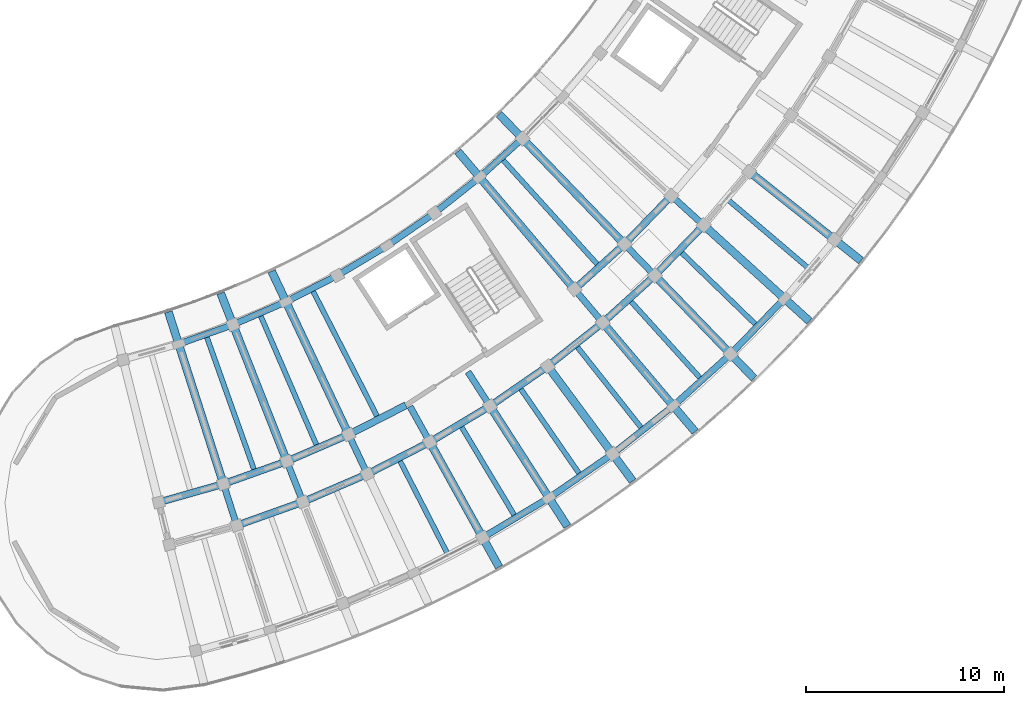
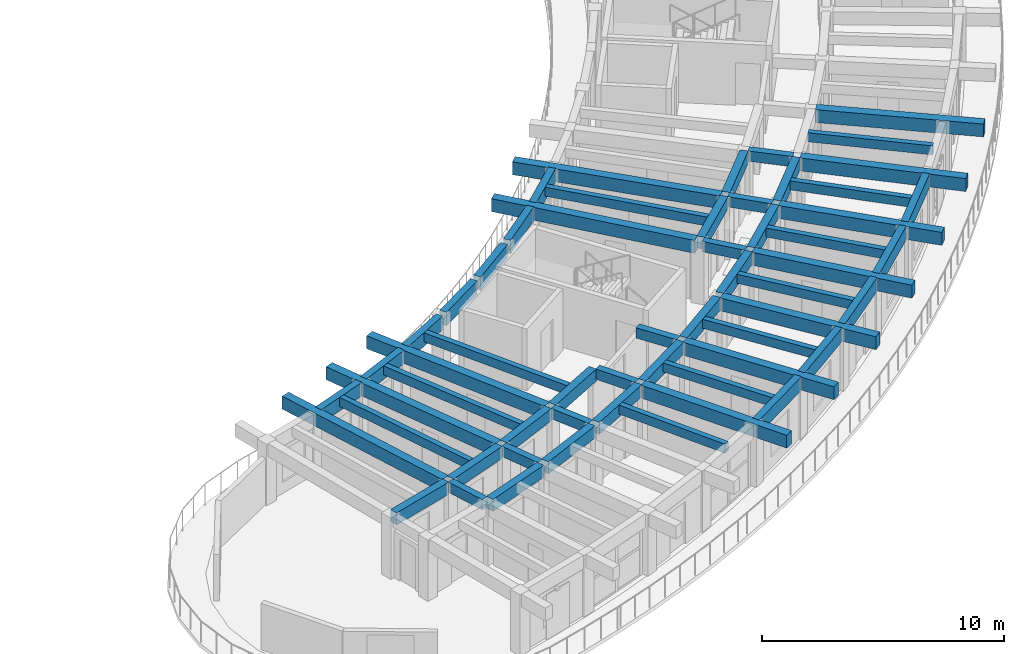
# One storey, part 28 of 96: 57 beams.
"""IFC4 building model written with IfcOpenShell, lengths in metres."""

from ifc_helpers import new_model, si_unit, direction, frame, origin, origin_2d, place, context, subcontext, project, spatial, rectangle, extrude, material, material_profile, profile_set, type_object, element, save


model = new_model("IFC4")

# Units and contexts
model_context = context("Model", 3, precision=1e-05, world=origin(), true_north=direction((0.0, 1.0)))
body_context = subcontext(model_context, "Body", "Model", "MODEL_VIEW")
ifc_project = project(units=[si_unit("LENGTHUNIT", "METRE"), si_unit("AREAUNIT", "SQUARE_METRE"), si_unit("VOLUMEUNIT", "CUBIC_METRE"), si_unit("PLANEANGLEUNIT", "RADIAN"), si_unit("MASSUNIT", "GRAM", prefix="KILO")], contexts=[model_context])

# Site, building, storey
site_placement = place(None, origin())
site = spatial("IfcSite", under=ifc_project, at=site_placement, CompositionType="ELEMENT")
building_placement = place(site_placement, origin())
building = spatial("IfcBuilding", under=site, at=building_placement, Name="Tanwirah Colonnade Gardens", CompositionType="ELEMENT")
storey_placement = place(building_placement, frame((0.0, 0.0, 12.199951171875)))
storey = spatial("IfcBuildingStorey", under=building, at=storey_placement, Name="L03", CompositionType="ELEMENT", Elevation=12.199951171875)

# Beams
ifc_material_1 = material(Name="Precast concrete C40/50", Category="concrete")
ifc_material_profile_1 = material_profile(ifc_material_1, rectangle(XDim=0.360107421875, YDim=0.610107421875, at=origin_2d()), Name="PC-BM 360x610")
ifc_profile_set_1 = profile_set([ifc_material_profile_1], Name="Precast concrete C40/50")
beam_type_1 = type_object("IfcBeamType", Name="BM-PC300", PredefinedType="BEAM", material=ifc_profile_set_1)
beam_1_placement = place(storey_placement, frame((133.68798828125, 14.231201171875, 2.800048828125), z_axis=(0.961865763464, 0.273521942585, 0.0), x_axis=(-0.273521942585, 0.961865763464, 0.0)))
element("IfcBeam", 1, at=beam_1_placement, inside=storey, type_object=beam_type_1, Name="Block D L03 Circumferential Beam 0-R1", PredefinedType="BEAM", context=body_context, shape_type="SweptSolid", body=[
    extrude(rectangle(XDim=0.360107421875, YDim=0.610107421875, at=origin_2d()), origin(), (0.0, 0.0, 1.0), 3.0927734375),
])
beam_2_placement = place(storey_placement, frame((136.948486328125, 15.168701171875, 2.800048828125), z_axis=(0.941911444877, 0.335861325564, 0.0), x_axis=(-0.335861325564, 0.941911444877, 0.0)))
element("IfcBeam", 2, at=beam_2_placement, inside=storey, type_object=beam_type_1, Name="Block D L03 Circumferential Beam 1-R1", PredefinedType="BEAM", context=body_context, shape_type="SweptSolid", body=[
    extrude(rectangle(XDim=0.360107421875, YDim=0.610107421875, at=origin_2d()), origin(), (0.0, 0.0, 1.0), 3.093017578125),
])
beam_3_placement = place(storey_placement, frame((137.619140625, 13.073486328125, 2.800048828125), z_axis=(0.941917534978, 0.335844245597, 0.0), x_axis=(-0.335844245597, 0.941917534978, 0.0)))
element("IfcBeam", 3, at=beam_3_placement, inside=storey, type_object=beam_type_1, Name="Block D L03 Circumferential Beam 1-R2", PredefinedType="BEAM", context=body_context, shape_type="SweptSolid", body=[
    extrude(rectangle(XDim=0.360107421875, YDim=0.610107421875, at=origin_2d()), origin(), (0.0, 0.0, 1.0), 3.237060546875),
])
beam_4_placement = place(storey_placement, frame((140.140869140625, 16.3173828125, 2.800048828125), z_axis=(0.917936292782, 0.396727819032, 0.0), x_axis=(-0.396727819032, 0.917936292782, 0.0)))
element("IfcBeam", 4, at=beam_4_placement, inside=storey, type_object=beam_type_1, Name="Block D L03 Circumferential Beam 2-R1", PredefinedType="BEAM", context=body_context, shape_type="SweptSolid", body=[
    extrude(rectangle(XDim=0.360107421875, YDim=0.610107421875, at=origin_2d()), origin(), (0.0, 0.0, 1.0), 3.093017578125),
])
beam_5_placement = place(storey_placement, frame((140.947021484375, 14.2705078125, 2.800048828125), z_axis=(0.917943156181, 0.396711938338, 0.0), x_axis=(-0.396711938338, 0.917943156181, 0.0)))
element("IfcBeam", 5, at=beam_5_placement, inside=storey, type_object=beam_type_1, Name="Block D L03 Circumferential Beam 2-R2", PredefinedType="BEAM", context=body_context, shape_type="SweptSolid", body=[
    extrude(rectangle(XDim=0.360107421875, YDim=0.610107421875, at=origin_2d()), origin(), (0.0, 0.0, 1.0), 3.237060546875),
])
beam_6_placement = place(storey_placement, frame((143.2509765625, 17.67236328125, 2.800048828125), z_axis=(0.890027741769, 0.45590637074, 0.0), x_axis=(-0.45590637074, 0.890027741769, 0.0)))
element("IfcBeam", 6, at=beam_6_placement, inside=storey, type_object=beam_type_1, Name="Block D L03 Circumferential Beam 3-R1", PredefinedType="BEAM", context=body_context, shape_type="SweptSolid", body=[
    extrude(rectangle(XDim=0.360107421875, YDim=0.610107421875, at=origin_2d()), origin(), (0.0, 0.0, 1.0), 3.093017578125),
])
beam_7_placement = place(storey_placement, frame((144.189453125, 15.6826171875, 2.800048828125), z_axis=(0.890025451153, 0.45591084249, 0.0), x_axis=(-0.45591084249, 0.890025451153, 0.0)))
element("IfcBeam", 7, at=beam_7_placement, inside=storey, type_object=beam_type_1, Name="Block D L03 Circumferential Beam 3-R2", PredefinedType="BEAM", context=body_context, shape_type="SweptSolid", body=[
    extrude(rectangle(XDim=0.360107421875, YDim=0.610107421875, at=origin_2d()), origin(), (0.0, 0.0, 1.0), 3.237060546875),
])
beam_8_placement = place(storey_placement, frame((147.332763671875, 17.3037109375, 2.800048828125), z_axis=(0.858270604513, 0.513197398111, 0.0), x_axis=(-0.513197398111, 0.858270604513, 0.0)))
element("IfcBeam", 8, at=beam_8_placement, inside=storey, type_object=beam_type_1, Name="Block D L03 Circumferential Beam 4-R2", PredefinedType="BEAM", context=body_context, shape_type="SweptSolid", body=[
    extrude(rectangle(XDim=0.360107421875, YDim=0.610107421875, at=origin_2d()), origin(), (0.0, 0.0, 1.0), 3.23681640625),
])
beam_9_placement = place(storey_placement, frame((150.363037109375, 19.126953125, 2.800048828125), z_axis=(0.822889344221, 0.568201660651, 0.0), x_axis=(-0.568201660651, 0.822889344221, 0.0)))
element("IfcBeam", 9, at=beam_9_placement, inside=storey, type_object=beam_type_1, Name="Block D L03 Circumferential Beam 5-R2", PredefinedType="BEAM", context=body_context, shape_type="SweptSolid", body=[
    extrude(rectangle(XDim=0.360107421875, YDim=0.610107421875, at=origin_2d()), origin(), (0.0, 0.0, 1.0), 3.237060546875),
])
beam_10_placement = place(storey_placement, frame((153.267822265625, 21.144775390625, 2.800048828125), z_axis=(0.783993819374, 0.620768629349, 0.0), x_axis=(-0.620768629349, 0.783993819374, 0.0)))
element("IfcBeam", 10, at=beam_10_placement, inside=storey, type_object=beam_type_1, Name="Block D L03 Circumferential Beam 6-R2", PredefinedType="BEAM", context=body_context, shape_type="SweptSolid", body=[
    extrude(rectangle(XDim=0.360107421875, YDim=0.610107421875, at=origin_2d()), origin(), (0.0, 0.0, 1.0), 3.23681640625),
])
beam_11_placement = place(storey_placement, frame((154.61279296875, 25.027099609375, 2.800048828125), z_axis=(0.741698455559, 0.670733479873, 0.0), x_axis=(-0.670733479873, 0.741698455559, 0.0)))
element("IfcBeam", 11, at=beam_11_placement, inside=storey, type_object=beam_type_1, Name="Block D L03 Circumferential Beam 7-R1", PredefinedType="BEAM", context=body_context, shape_type="SweptSolid", body=[
    extrude(rectangle(XDim=0.360107421875, YDim=0.610107421875, at=origin_2d()), origin(), (0.0, 0.0, 1.0), 3.0927734375),
])
beam_12_placement = place(storey_placement, frame((156.0341796875, 23.347900390625, 2.800048828125), z_axis=(0.741701929733, 0.670729638104, 0.0), x_axis=(-0.670729638104, 0.741701929733, 0.0)))
element("IfcBeam", 12, at=beam_12_placement, inside=storey, type_object=beam_type_1, Name="Block D L03 Circumferential Beam 7-R2", PredefinedType="BEAM", context=body_context, shape_type="SweptSolid", body=[
    extrude(rectangle(XDim=0.360107421875, YDim=0.610107421875, at=origin_2d()), origin(), (0.0, 0.0, 1.0), 3.237060546875),
])
beam_13_placement = place(storey_placement, frame((157.12255859375, 27.309814453125, 2.800048828125), z_axis=(0.696209937932, 0.71783822852, 0.0), x_axis=(-0.71783822852, 0.696209937932, 0.0)))
element("IfcBeam", 13, at=beam_13_placement, inside=storey, type_object=beam_type_1, Name="Block D L03 Circumferential Beam 8-R1", PredefinedType="BEAM", context=body_context, shape_type="SweptSolid", body=[
    extrude(rectangle(XDim=0.360107421875, YDim=0.610107421875, at=origin_2d()), origin(), (0.0, 0.0, 1.0), 3.093017578125),
])
beam_14_placement = place(storey_placement, frame((158.650634765625, 25.727294921875, 2.800048828125), z_axis=(0.696238887656, 0.717810149911, 0.0), x_axis=(-0.717810149911, 0.696238887656, 0.0)))
element("IfcBeam", 14, at=beam_14_placement, inside=storey, type_object=beam_type_1, Name="Block D L03 Circumferential Beam 8-R2", PredefinedType="BEAM", context=body_context, shape_type="SweptSolid", body=[
    extrude(rectangle(XDim=0.360107421875, YDim=0.610107421875, at=origin_2d()), origin(), (0.0, 0.0, 1.0), 3.23681640625),
])
ifc_material_profile_2 = material_profile(ifc_material_1, rectangle(XDim=0.320068359375, YDim=0.52001953125, at=origin_2d()), Name="PC-BM 320x520")
ifc_profile_set_2 = profile_set([ifc_material_profile_2], Name="Precast concrete C40/50")
beam_type_2 = type_object("IfcBeamType", Name="BM-PC320", PredefinedType="BEAM", material=ifc_profile_set_2)
beam_15_placement = place(storey_placement, frame((136.85302734375, 14.975341796875, 2.844970703125), z_axis=(0.304794376797, -0.952418179096, 0.0), x_axis=(0.952418179096, 0.304794376797, 0.0)))
element("IfcBeam", 15, at=beam_15_placement, inside=storey, type_object=beam_type_2, Name="Block D L03 Corridor Tie Beam 1", PredefinedType="BEAM", context=body_context, shape_type="SweptSolid", body=[
    extrude(rectangle(XDim=0.320068359375, YDim=0.52001953125, at=origin_2d()), origin(), (0.0, 0.0, 1.0), 1.89990234375),
])
beam_16_placement = place(storey_placement, frame((140.05810546875, 16.1181640625, 2.844970703125), z_axis=(0.366511033969, -0.930413704746, 0.0), x_axis=(0.930413704746, 0.366511033969, 0.0)))
element("IfcBeam", 16, at=beam_16_placement, inside=storey, type_object=beam_type_2, Name="Block D L03 Corridor Tie Beam 2", PredefinedType="BEAM", context=body_context, shape_type="SweptSolid", body=[
    extrude(rectangle(XDim=0.320068359375, YDim=0.52001953125, at=origin_2d()), origin(), (0.0, 0.0, 1.0), 1.899658203125),
])
beam_17_placement = place(storey_placement, frame((143.181640625, 17.46826171875, 2.844970703125), z_axis=(0.426483812015, -0.904495195172, 0.0), x_axis=(0.904495195172, 0.426483812015, 0.0)))
element("IfcBeam", 17, at=beam_17_placement, inside=storey, type_object=beam_type_2, Name="Block D L03 Corridor Tie Beam 3", PredefinedType="BEAM", context=body_context, shape_type="SweptSolid", body=[
    extrude(rectangle(XDim=0.320068359375, YDim=0.52001953125, at=origin_2d()), origin(), (0.0, 0.0, 1.0), 1.89990234375),
])
beam_18_placement = place(storey_placement, frame((146.210205078125, 19.019775390625, 2.844970703125), z_axis=(0.484791759649, -0.874629607192, 0.0), x_axis=(0.874629607192, 0.484791759649, 0.0)))
element("IfcBeam", 18, at=beam_18_placement, inside=storey, type_object=beam_type_2, Name="Block D L03 Corridor Tie Beam 4", PredefinedType="BEAM", context=body_context, shape_type="SweptSolid", body=[
    extrude(rectangle(XDim=0.320068359375, YDim=0.52001953125, at=origin_2d()), origin(), (0.0, 0.0, 1.0), 1.900146484375),
])
beam_19_placement = place(storey_placement, frame((149.130615234375, 20.765869140625, 2.844970703125), z_axis=(0.540984881989, -0.841032316537, 0.0), x_axis=(0.841032316537, 0.540984881989, 0.0)))
element("IfcBeam", 19, at=beam_19_placement, inside=storey, type_object=beam_type_2, Name="Block D L03 Corridor Tie Beam 5", PredefinedType="BEAM", context=body_context, shape_type="SweptSolid", body=[
    extrude(rectangle(XDim=0.320068359375, YDim=0.52001953125, at=origin_2d()), origin(), (0.0, 0.0, 1.0), 1.89990234375),
])
beam_20_placement = place(storey_placement, frame((154.598388671875, 24.81201171875, 2.844970703125), z_axis=(0.646155325581, -0.763205932382, 0.0), x_axis=(0.763205932382, 0.646155325581, 0.0)))
element("IfcBeam", 20, at=beam_20_placement, inside=storey, type_object=beam_type_2, Name="Block D L03 Corridor Tie Beam 7", PredefinedType="BEAM", context=body_context, shape_type="SweptSolid", body=[
    extrude(rectangle(XDim=0.320068359375, YDim=0.52001953125, at=origin_2d()), origin(), (0.0, 0.0, 1.0), 1.900146484375),
])
beam_21_placement = place(storey_placement, frame((157.122314453125, 27.09423828125, 2.844970703125), z_axis=(0.694663306685, -0.719335033448, 0.0), x_axis=(0.719335033448, 0.694663306685, 0.0)))
element("IfcBeam", 21, at=beam_21_placement, inside=storey, type_object=beam_type_2, Name="Block D L03 Corridor Tie Beam 8", PredefinedType="BEAM", context=body_context, shape_type="SweptSolid", body=[
    extrude(rectangle(XDim=0.320068359375, YDim=0.52001953125, at=origin_2d()), origin(), (0.0, 0.0, 1.0), 1.89990234375),
])
beam_22_placement = place(storey_placement, frame((159.491455078125, 29.536865234375, 2.844970703125), z_axis=(0.740219127015, -0.672365707038, 0.0), x_axis=(0.672365707038, 0.740219127015, 0.0)))
element("IfcBeam", 22, at=beam_22_placement, inside=storey, type_object=beam_type_2, Name="Block D L03 Corridor Tie Beam 9", PredefinedType="BEAM", context=body_context, shape_type="SweptSolid", body=[
    extrude(rectangle(XDim=0.320068359375, YDim=0.52001953125, at=origin_2d()), origin(), (0.0, 0.0, 1.0), 1.899658203125),
])
ifc_material_2 = material(Name="Precast concrete C45/55", Category="concrete")
ifc_material_profile_3 = material_profile(ifc_material_2, rectangle(XDim=0.39990234375, YDim=0.64990234375, at=origin_2d()), Name="PC-BM 400x650")
ifc_profile_set_3 = profile_set([ifc_material_profile_3], Name="Precast concrete C45/55")
beam_type_3 = type_object("IfcBeamType", Name="BM-PC400", PredefinedType="BEAM", material=ifc_profile_set_3)
for number, where, z_axis, x_axis, name in (
    (23, (136.761474609375, 15.26123046875, 2.780029296875), (-0.304862826508, 0.952396270999, 0.0), (-0.952396270999, -0.304862826508, 0.0), "Block D L03 Inner Radial Precast Girder 1"),
    (24, (139.947998046875, 16.3974609375, 2.780029296875), (-0.36648945479, 0.930422204984, 0.0), (-0.930422204984, -0.36648945479, 0.0), "Block D L03 Inner Radial Precast Girder 2"),
    (25, (143.0537109375, 17.73974609375, 2.780029296875), (-0.426582468098, 0.904448670689, 0.0), (-0.904448670689, -0.426582468098, 0.0), "Block D L03 Inner Radial Precast Girder 3"),
):
    element("IfcBeam", number, at=place(storey_placement, frame(where, z_axis=z_axis, x_axis=x_axis)), inside=storey, type_object=beam_type_3, Name=name, PredefinedType="BEAM", context=body_context, shape_type="SweptSolid", body=[
        extrude(rectangle(XDim=0.39990234375, YDim=0.64990234375, at=origin_2d()), origin(), (0.0, 0.0, 1.0), 8.949951171875),
    ])
beam_23_placement = place(storey_placement, frame((147.276611328125, 17.095703125, 2.780029296875), z_axis=(0.484804753745, -0.874622404667, 0.0), x_axis=(0.874622404667, 0.484804753745, 0.0)))
element("IfcBeam", 26, at=beam_23_placement, inside=storey, type_object=beam_type_3, Name="Block D L03 Outer Radial Precast Girder 4", PredefinedType="BEAM", context=body_context, shape_type="SweptSolid", body=[
    extrude(rectangle(XDim=0.39990234375, YDim=0.64990234375, at=origin_2d()), origin(), (0.0, 0.0, 1.0), 7.05029296875),
])
for number, where, z_axis, x_axis, name in (
    (27, (150.32080078125, 18.915771484375, 2.780029296875), (0.540976349149, -0.841037805132, 0.0), (0.841037805132, 0.540976349149, 0.0), "Block D L03 Outer Radial Precast Girder 5"),
    (28, (153.239501953125, 20.930908203125, 2.780029296875), (0.594806754627, -0.803868723518, 0.0), (0.803868723518, 0.594806754627, 0.0), "Block D L03 Outer Radial Precast Girder 6"),
):
    element("IfcBeam", number, at=place(storey_placement, frame(where, z_axis=z_axis, x_axis=x_axis)), inside=storey, type_object=beam_type_3, Name=name, PredefinedType="BEAM", context=body_context, shape_type="SweptSolid", body=[
        extrude(rectangle(XDim=0.39990234375, YDim=0.64990234375, at=origin_2d()), origin(), (0.0, 0.0, 1.0), 7.050048828125),
    ])
beam_24_placement = place(storey_placement, frame((154.404541015625, 25.040771484375, 2.780029296875), z_axis=(-0.64611097415, 0.763243479554, 0.0), x_axis=(-0.763243479554, -0.64611097415, 0.0)))
element("IfcBeam", 29, at=beam_24_placement, inside=storey, type_object=beam_type_3, Name="Block D L03 Inner Radial Precast Girder 7", PredefinedType="BEAM", context=body_context, shape_type="SweptSolid", body=[
    extrude(rectangle(XDim=0.39990234375, YDim=0.64990234375, at=origin_2d()), origin(), (0.0, 0.0, 1.0), 8.949951171875),
])
beam_25_placement = place(storey_placement, frame((156.02001953125, 23.1328125, 2.780029296875), z_axis=(0.646119193339, -0.763236521663, 0.0), x_axis=(0.763236521663, 0.646119193339, 0.0)))
element("IfcBeam", 30, at=beam_25_placement, inside=storey, type_object=beam_type_3, Name="Block D L03 Outer Radial Precast Girder 7", PredefinedType="BEAM", context=body_context, shape_type="SweptSolid", body=[
    extrude(rectangle(XDim=0.39990234375, YDim=0.64990234375, at=origin_2d()), origin(), (0.0, 0.0, 1.0), 7.050048828125),
])
beam_26_placement = place(storey_placement, frame((156.913818359375, 27.31005859375, 2.780029296875), z_axis=(-0.694655848402, 0.719342235852, 0.0), x_axis=(-0.719342235852, -0.694655848402, 0.0)))
element("IfcBeam", 31, at=beam_26_placement, inside=storey, type_object=beam_type_3, Name="Block D L03 Inner Radial Precast Girder 8", PredefinedType="BEAM", context=body_context, shape_type="SweptSolid", body=[
    extrude(rectangle(XDim=0.39990234375, YDim=0.64990234375, at=origin_2d()), origin(), (0.0, 0.0, 1.0), 8.9501953125),
])
beam_27_placement = place(storey_placement, frame((158.650390625, 25.51171875, 2.780029296875), z_axis=(0.69467114255, -0.719327466254, 0.0), x_axis=(0.719327466254, 0.69467114255, 0.0)))
element("IfcBeam", 32, at=beam_27_placement, inside=storey, type_object=beam_type_3, Name="Block D L03 Outer Radial Precast Girder 8", PredefinedType="BEAM", context=body_context, shape_type="SweptSolid", body=[
    extrude(rectangle(XDim=0.39990234375, YDim=0.64990234375, at=origin_2d()), origin(), (0.0, 0.0, 1.0), 7.050048828125),
])
for number, where, z_axis, x_axis, name in (
    (33, (161.119873046875, 28.0576171875, 2.780029296875), (0.740229899169, -0.672353847596, 0.0), (0.672353847596, 0.740229899169, 0.0), "Block D L03 Outer Radial Precast Girder 9"),
    (34, (163.41748046875, 30.759765625, 2.780029296875), (0.782609106384, -0.622513442911, 0.0), (0.622513442911, 0.782609106384, 0.0), "Block D L03 Outer Radial Precast Girder 10"),
):
    element("IfcBeam", number, at=place(storey_placement, frame(where, z_axis=z_axis, x_axis=x_axis)), inside=storey, type_object=beam_type_3, Name=name, PredefinedType="BEAM", context=body_context, shape_type="SweptSolid", body=[
        extrude(rectangle(XDim=0.39990234375, YDim=0.64990234375, at=origin_2d()), origin(), (0.0, 0.0, 1.0), 7.0498046875),
    ])
ifc_material_profile_4 = material_profile(ifc_material_1, rectangle(XDim=0.2548828125, YDim=0.455078125, at=origin_2d()), Name="PC-JST 255x455")
ifc_profile_set_4 = profile_set([ifc_material_profile_4], Name="Precast concrete C40/50")
beam_type_4 = type_object("IfcBeamType", Name="JST-PC240", PredefinedType="JOIST", material=ifc_profile_set_4)
beam_28_placement = place(storey_placement, frame((135.969482421875, 22.51904296875, 2.87744140625), z_axis=(0.335861148107, -0.941911508154, 0.0), x_axis=(0.941911508154, 0.335861148107, 0.0)))
element("IfcBeam", 35, at=beam_28_placement, inside=storey, type_object=beam_type_4, Name="Block D L03 Inner Precast Floor Joist 1", PredefinedType="JOIST", context=body_context, shape_type="SweptSolid", body=[
    extrude(rectangle(XDim=0.2548828125, YDim=0.455078125, at=origin_2d()), origin(), (0.0, 0.0, 1.0), 7.16015625),
])
beam_29_placement = place(storey_placement, frame((138.68310546875, 23.587890625, 2.87744140625), z_axis=(0.396736454079, -0.917932560706, 0.0), x_axis=(0.917932560706, 0.396736454079, 0.0)))
element("IfcBeam", 36, at=beam_29_placement, inside=storey, type_object=beam_type_4, Name="Block D L03 Inner Precast Floor Joist 2", PredefinedType="JOIST", context=body_context, shape_type="SweptSolid", body=[
    extrude(rectangle(XDim=0.2548828125, YDim=0.455078125, at=origin_2d()), origin(), (0.0, 0.0, 1.0), 7.159912109375),
])
beam_30_placement = place(storey_placement, frame((145.697998046875, 16.287841796875, 2.87744140625), z_axis=(0.455936851617, -0.890012127635, 0.0), x_axis=(0.890012127635, 0.455936851617, 0.0)))
element("IfcBeam", 37, at=beam_30_placement, inside=storey, type_object=beam_type_4, Name="Block D L03 Precast Floor Joist 3", PredefinedType="JOIST", context=body_context, shape_type="SweptSolid", body=[
    extrude(rectangle(XDim=0.2548828125, YDim=0.455078125, at=origin_2d()), origin(), (0.0, 0.0, 1.0), 5.260009765625),
])
beam_31_placement = place(storey_placement, frame((141.321044921875, 24.83203125, 2.87744140625), z_axis=(0.455921327553, -0.890020080157, 0.0), x_axis=(0.890020080157, 0.455921327553, 0.0)))
element("IfcBeam", 38, at=beam_31_placement, inside=storey, type_object=beam_type_4, Name="Block D L03 Inner Precast Floor Joist 3", PredefinedType="JOIST", context=body_context, shape_type="SweptSolid", body=[
    extrude(rectangle(XDim=0.2548828125, YDim=0.455078125, at=origin_2d()), origin(), (0.0, 0.0, 1.0), 7.159912109375),
])
for number, where, z_axis, x_axis, name in (
    (39, (148.79833984375, 18.006591796875, 2.87744140625), (0.513157303227, -0.858294577721, 0.0), (0.858294577721, 0.513157303227, 0.0), "Block D L03 Precast Floor Joist 4"),
    (40, (151.779541015625, 19.924072265625, 2.87744140625), (0.56820792868, -0.822885016138, 0.0), (0.822885016138, 0.56820792868, 0.0), "Block D L03 Precast Floor Joist 5"),
    (41, (154.629150390625, 22.03271484375, 2.87744140625), (0.620787347885, -0.783978997617, 0.0), (0.783978997617, 0.620787347885, 0.0), "Block D L03 Precast Floor Joist 6"),
    (42, (157.33447265625, 24.322998046875, 2.87744140625), (0.670780841255, -0.741655622918, 0.0), (0.741655622918, 0.670780841255, 0.0), "Block D L03 Precast Floor Joist 7"),
):
    element("IfcBeam", number, at=place(storey_placement, frame(where, z_axis=z_axis, x_axis=x_axis)), inside=storey, type_object=beam_type_4, Name=name, PredefinedType="JOIST", context=body_context, shape_type="SweptSolid", body=[
        extrude(rectangle(XDim=0.2548828125, YDim=0.455078125, at=origin_2d()), origin(), (0.0, 0.0, 1.0), 5.260009765625),
    ])
beam_32_placement = place(storey_placement, frame((150.895263671875, 31.443115234375, 2.87744140625), z_axis=(0.670773136608, -0.741662591214, 0.0), x_axis=(0.741662591214, 0.670773136608, 0.0)))
element("IfcBeam", 43, at=beam_32_placement, inside=storey, type_object=beam_type_4, Name="Block D L03 Inner Precast Floor Joist 7", PredefinedType="JOIST", context=body_context, shape_type="SweptSolid", body=[
    extrude(rectangle(XDim=0.2548828125, YDim=0.455078125, at=origin_2d()), origin(), (0.0, 0.0, 1.0), 7.159912109375),
])
for number, where, z_axis, x_axis, name in (
    (44, (159.884521484375, 26.785400390625, 2.87744140625), (0.717816036263, -0.696232818878, 0.0), (0.696232818878, 0.717816036263, 0.0), "Block D L03 Precast Floor Joist 8"),
    (45, (162.267822265625, 29.409423828125, 2.87744140625), (0.761803021124, -0.647808734895, 0.0), (0.647808734895, 0.761803021124, 0.0), "Block D L03 Precast Floor Joist 9"),
):
    element("IfcBeam", number, at=place(storey_placement, frame(where, z_axis=z_axis, x_axis=x_axis)), inside=storey, type_object=beam_type_4, Name=name, PredefinedType="JOIST", context=body_context, shape_type="SweptSolid", body=[
        extrude(rectangle(XDim=0.2548828125, YDim=0.455078125, at=origin_2d()), origin(), (0.0, 0.0, 1.0), 5.260009765625),
    ])
ifc_material_profile_5 = material_profile(ifc_material_1, rectangle(XDim=0.324951171875, YDim=0.68505859375, at=origin_2d()), Name="PC-SP 325x685")
ifc_profile_set_5 = profile_set([ifc_material_profile_5], Name="Precast concrete C40/50")
beam_type_5 = type_object("IfcBeamType", Name="SP-PC260", PredefinedType="SPANDREL", material=ifc_profile_set_5)
for number, where, z_axis, x_axis, name in (
    (46, (134.692626953125, 22.21630859375, 2.762451171875), (0.941898499992, 0.335897626835, 0.0), (-0.335897626835, 0.941898499992, 0.0), "Block D L03 Circumferential Beam 1-R0"),
    (47, (137.4287109375, 23.202392578125, 2.762451171875), (0.917901260915, 0.396808864833, 0.0), (-0.396808864833, 0.917901260915, 0.0), "Block D L03 Circumferential Beam 2-R0"),
    (48, (140.094482421875, 24.365478515625, 2.762451171875), (0.890042438658, 0.455877678097, 0.0), (-0.455877678097, 0.890042438658, 0.0), "Block D L03 Circumferential Beam 3-R0"),
    (49, (142.678466796875, 25.7001953125, 2.762451171875), (0.858301131151, 0.513146341958, 0.0), (-0.513146341958, 0.858301131151, 0.0), "Block D L03 Circumferential Beam 4-R0"),
):
    element("IfcBeam", number, at=place(storey_placement, frame(where, z_axis=z_axis, x_axis=x_axis)), inside=storey, type_object=beam_type_5, Name=name, PredefinedType="SPANDREL", context=body_context, shape_type="SweptSolid", body=[
        extrude(rectangle(XDim=0.324951171875, YDim=0.68505859375, at=origin_2d()), origin(), (0.0, 0.0, 1.0), 2.608642578125),
    ])
beam_33_placement = place(storey_placement, frame((149.999267578125, 12.493408203125, 2.762451171875), z_axis=(0.858282522832, 0.513177465407, 0.0), x_axis=(-0.513177465407, 0.858282522832, 0.0)))
element("IfcBeam", 50, at=beam_33_placement, inside=storey, type_object=beam_type_5, Name="Block D L03 Circumferential Beam 4-R3", PredefinedType="SPANDREL", context=body_context, shape_type="SweptSolid", body=[
    extrude(rectangle(XDim=0.324951171875, YDim=0.68505859375, at=origin_2d()), origin(), (0.0, 0.0, 1.0), 3.5966796875),
])
beam_34_placement = place(storey_placement, frame((145.169677734375, 27.200927734375, 2.762451171875), z_axis=(0.822868771031, 0.568231454305, 0.0), x_axis=(-0.568231454305, 0.822868771031, 0.0)))
element("IfcBeam", 51, at=beam_34_placement, inside=storey, type_object=beam_type_5, Name="Block D L03 Circumferential Beam 5-R0", PredefinedType="SPANDREL", context=body_context, shape_type="SweptSolid", body=[
    extrude(rectangle(XDim=0.324951171875, YDim=0.68505859375, at=origin_2d()), origin(), (0.0, 0.0, 1.0), 2.60888671875),
])
beam_35_placement = place(storey_placement, frame((153.33837890625, 14.50146484375, 2.762451171875), z_axis=(0.822907478943, 0.568175396423, 0.0), x_axis=(-0.568175396423, 0.822907478943, 0.0)))
element("IfcBeam", 52, at=beam_35_placement, inside=storey, type_object=beam_type_5, Name="Block D L03 Circumferential Beam 5-R3", PredefinedType="SPANDREL", context=body_context, shape_type="SweptSolid", body=[
    extrude(rectangle(XDim=0.324951171875, YDim=0.68505859375, at=origin_2d()), origin(), (0.0, 0.0, 1.0), 3.596923828125),
])
beam_36_placement = place(storey_placement, frame((147.557373046875, 28.861572265625, 2.762451171875), z_axis=(0.783945239852, 0.62082997746, 0.0), x_axis=(-0.62082997746, 0.783945239852, 0.0)))
element("IfcBeam", 53, at=beam_36_placement, inside=storey, type_object=beam_type_5, Name="Block D L03 Circumferential Beam 6-R0", PredefinedType="SPANDREL", context=body_context, shape_type="SweptSolid", body=[
    extrude(rectangle(XDim=0.324951171875, YDim=0.68505859375, at=origin_2d()), origin(), (0.0, 0.0, 1.0), 2.60888671875),
])
beam_37_placement = place(storey_placement, frame((156.539306640625, 16.723388671875, 2.762451171875), z_axis=(0.783971495357, 0.620796822211, 0.0), x_axis=(-0.620796822211, 0.783971495357, 0.0)))
element("IfcBeam", 54, at=beam_37_placement, inside=storey, type_object=beam_type_5, Name="Block D L03 Circumferential Beam 6-R3", PredefinedType="SPANDREL", context=body_context, shape_type="SweptSolid", body=[
    extrude(rectangle(XDim=0.324951171875, YDim=0.68505859375, at=origin_2d()), origin(), (0.0, 0.0, 1.0), 3.596923828125),
])
beam_38_placement = place(storey_placement, frame((149.83154296875, 30.675048828125, 2.762451171875), z_axis=(0.741686528432, 0.670746668678, 0.0), x_axis=(-0.670746668678, 0.741686528432, 0.0)))
element("IfcBeam", 55, at=beam_38_placement, inside=storey, type_object=beam_type_5, Name="Block D L03 Circumferential Beam 7-R0", PredefinedType="SPANDREL", context=body_context, shape_type="SweptSolid", body=[
    extrude(rectangle(XDim=0.324951171875, YDim=0.68505859375, at=origin_2d()), origin(), (0.0, 0.0, 1.0), 2.608642578125),
])
beam_39_placement = place(storey_placement, frame((159.587890625, 19.150146484375, 2.762451171875), z_axis=(0.741682092868, 0.670751573325, 0.0), x_axis=(-0.670751573325, 0.741682092868, 0.0)))
element("IfcBeam", 56, at=beam_39_placement, inside=storey, type_object=beam_type_5, Name="Block D L03 Circumferential Beam 7-R3", PredefinedType="SPANDREL", context=body_context, shape_type="SweptSolid", body=[
    extrude(rectangle(XDim=0.324951171875, YDim=0.68505859375, at=origin_2d()), origin(), (0.0, 0.0, 1.0), 3.596923828125),
])
beam_40_placement = place(storey_placement, frame((162.471435546875, 21.77099609375, 2.762451171875), z_axis=(0.696231699401, 0.717817122079, 0.0), x_axis=(-0.717817122079, 0.696231699401, 0.0)))
element("IfcBeam", 57, at=beam_40_placement, inside=storey, type_object=beam_type_5, Name="Block D L03 Circumferential Beam 8-R3", PredefinedType="SPANDREL", context=body_context, shape_type="SweptSolid", body=[
    extrude(rectangle(XDim=0.324951171875, YDim=0.68505859375, at=origin_2d()), origin(), (0.0, 0.0, 1.0), 3.5966796875),
])

save(model, "model.ifc")
